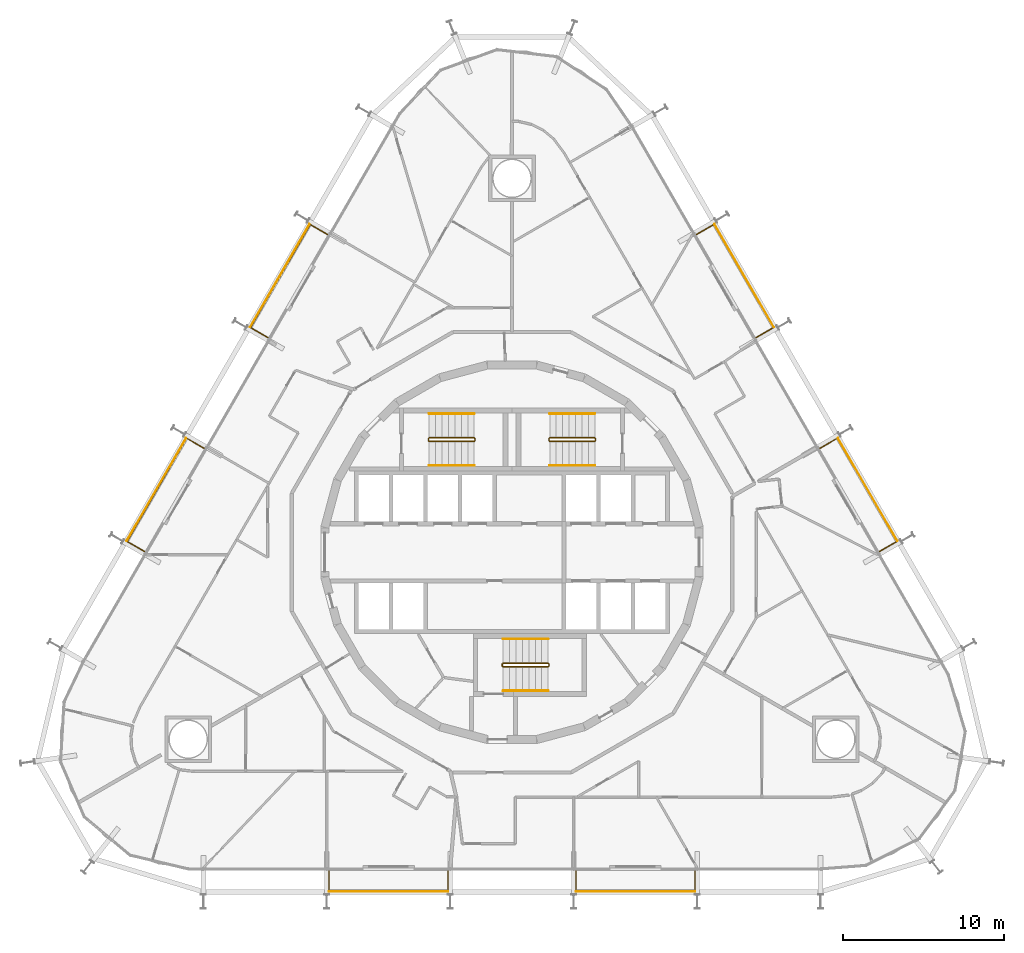
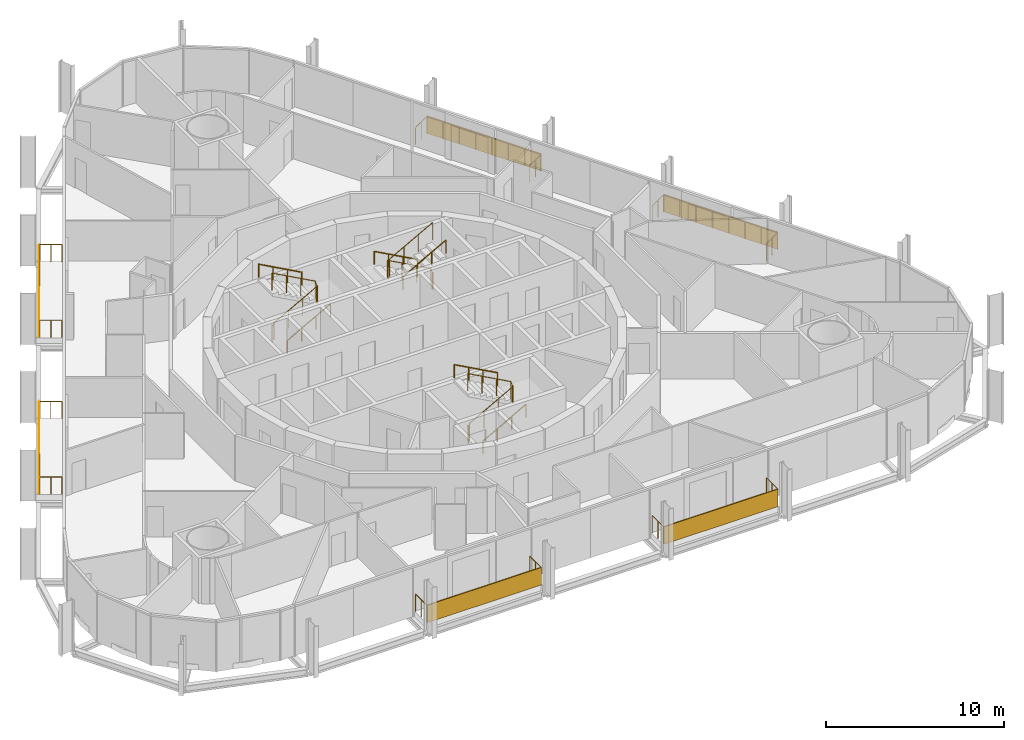
# One storey, part 20 of 20: 15 railings, 6 shading devices.
"""IFC4 building model written with IfcOpenShell, lengths in metres."""

from ifc_helpers import new_model, si_unit, direction, frame, origin, origin_2d, place, context, subcontext, project, spatial, rectangle, circle, extrude, material, layer, layer_set, type_object, element, save


model = new_model("IFC4")

# Units and contexts
model_context = context("Model", 3, precision=1e-05, world=origin(), true_north=direction((0.0, 1.0)))
body_context = subcontext(model_context, "Body", "Model", "MODEL_VIEW")
ifc_project = project(units=[si_unit("LENGTHUNIT", "METRE"), si_unit("AREAUNIT", "SQUARE_METRE"), si_unit("VOLUMEUNIT", "CUBIC_METRE"), si_unit("PLANEANGLEUNIT", "RADIAN"), si_unit("MASSUNIT", "GRAM", prefix="KILO")], contexts=[model_context])

# Site, building, storey
site_placement = place(None, origin())
site = spatial("IfcSite", under=ifc_project, at=site_placement, CompositionType="ELEMENT")
building_placement = place(site_placement, origin())
building = spatial("IfcBuilding", under=site, at=building_placement, Name="Spindle Arch Residences", CompositionType="ELEMENT")
storey_placement = place(building_placement, frame((0.0, 0.0, 59.39990234375)))
storey = spatial("IfcBuildingStorey", under=building, at=storey_placement, Name="L13", CompositionType="ELEMENT", Elevation=59.39990234375)

# Railings
ifc_material_1 = material(Name="Bronze anodised aluminium guard with glass infill", Category="aluminium")
railing_type_1 = type_object("IfcRailingType", Name="Balcony guard 1200", PredefinedType="GUARDRAIL", material=ifc_material_1)
railing_1_placement = place(storey_placement, frame((3.97509765625, -19.81982421875, 0.0)))
element("IfcRailing", 1, at=railing_1_placement, inside=storey, type_object=railing_type_1, Name="Guard L13 bay 1", PredefinedType="GUARDRAIL", context=body_context, shape_type="SweptSolid", body=[
    extrude(circle(Radius=0.02392578125, at=origin_2d()), frame((0.0, 0.0, 1.17578125), z_axis=(0.0, -1.0, 0.0), x_axis=(1.0, 0.0, 0.0)), (0.0, 0.0, 1.0), 1.25),
    extrude(circle(Radius=0.02392578125, at=origin_2d()), frame((0.0, -1.25, 1.17578125), z_axis=(1.0, 0.0, 0.0), x_axis=(0.0, 1.0, 0.0)), (0.0, 0.0, 1.0), 7.409912109375),
    extrude(circle(Radius=0.02392578125, at=origin_2d()), frame((7.409912109375, -1.25, 1.17578125), z_axis=(0.0, 1.0, 0.0), x_axis=(-1.0, 0.0, 0.0)), (0.0, 0.0, 1.0), 1.25),
    extrude(circle(Radius=0.02099609375, at=origin_2d()), origin(), (0.0, 0.0, 1.0), 1.15185546875),
    extrude(circle(Radius=0.02099609375, at=origin_2d()), frame((0.0, -0.625, 0.0)), (0.0, 0.0, 1.0), 1.15185546875),
    extrude(circle(Radius=0.02099609375, at=origin_2d()), frame((0.0, -1.25, 0.0)), (0.0, 0.0, 1.0), 1.15185546875),
    extrude(circle(Radius=0.02099609375, at=origin_2d()), frame((1.05859375, -1.25, 0.0)), (0.0, 0.0, 1.0), 1.15185546875),
    extrude(circle(Radius=0.02099609375, at=origin_2d()), frame((2.1171875, -1.25, 0.0)), (0.0, 0.0, 1.0), 1.15185546875),
    extrude(circle(Radius=0.02099609375, at=origin_2d()), frame((3.17578125, -1.25, 0.0)), (0.0, 0.0, 1.0), 1.15185546875),
    extrude(circle(Radius=0.02099609375, at=origin_2d()), frame((4.234130859375, -1.25, 0.0)), (0.0, 0.0, 1.0), 1.15185546875),
    extrude(circle(Radius=0.02099609375, at=origin_2d()), frame((5.292724609375, -1.25, 0.0)), (0.0, 0.0, 1.0), 1.15185546875),
    extrude(circle(Radius=0.02099609375, at=origin_2d()), frame((6.351318359375, -1.25, 0.0)), (0.0, 0.0, 1.0), 1.15185546875),
    extrude(circle(Radius=0.02099609375, at=origin_2d()), frame((7.409912109375, -1.25, 0.0)), (0.0, 0.0, 1.0), 1.15185546875),
    extrude(circle(Radius=0.02099609375, at=origin_2d()), frame((7.409912109375, -0.625, 0.0)), (0.0, 0.0, 1.0), 1.15185546875),
    extrude(circle(Radius=0.02099609375, at=origin_2d()), frame((7.409912109375, 0.0, 0.0)), (0.0, 0.0, 1.0), 1.15185546875),
])
railing_2_placement = place(storey_placement, frame((22.857177734375, 0.050048828125, 0.0)))
element("IfcRailing", 2, at=railing_2_placement, inside=storey, type_object=railing_type_1, Name="Guard L13 bay 7", PredefinedType="GUARDRAIL", context=body_context, shape_type="SweptSolid", body=[
    extrude(circle(Radius=0.02392578125, at=origin_2d()), frame((0.0, 0.0, 1.17578125), z_axis=(0.866022959057, 0.500004234368, 0.0), x_axis=(-0.500004234368, 0.866022959057, 0.0)), (0.0, 0.0, 1.0), 1.25),
    extrude(circle(Radius=0.02392578125, at=origin_2d()), frame((1.08251953125, 0.625, 1.17578125), z_axis=(-0.499994337101, 0.866028673236, 0.0), x_axis=(-0.866028673236, -0.499994337101, 0.0)), (0.0, 0.0, 1.0), 7.41015625),
    extrude(circle(Radius=0.02392578125, at=origin_2d()), frame((-2.62255859375, 7.04248046875, 1.17578125), z_axis=(-0.866022959057, -0.500004234368, 0.0), x_axis=(0.500004234368, -0.866022959057, 0.0)), (0.0, 0.0, 1.0), 1.25),
    extrude(circle(Radius=0.02099609375, at=origin_2d()), origin(), (0.0, 0.0, 1.0), 1.15185546875),
    extrude(circle(Radius=0.02099609375, at=origin_2d()), frame((0.541259765625, 0.3125, 0.0)), (0.0, 0.0, 1.0), 1.15185546875),
    extrude(circle(Radius=0.02099609375, at=origin_2d()), frame((1.08251953125, 0.625, 0.0)), (0.0, 0.0, 1.0), 1.15185546875),
    extrude(circle(Radius=0.02099609375, at=origin_2d()), frame((0.55322265625, 1.541748046875, 0.0)), (0.0, 0.0, 1.0), 1.15185546875),
    extrude(circle(Radius=0.02099609375, at=origin_2d()), frame((0.02392578125, 2.45849609375, 0.0)), (0.0, 0.0, 1.0), 1.15185546875),
    extrude(circle(Radius=0.02099609375, at=origin_2d()), frame((-0.50537109375, 3.375244140625, 0.0)), (0.0, 0.0, 1.0), 1.15185546875),
    extrude(circle(Radius=0.02099609375, at=origin_2d()), frame((-1.03466796875, 4.292236328125, 0.0)), (0.0, 0.0, 1.0), 1.15185546875),
    extrude(circle(Radius=0.02099609375, at=origin_2d()), frame((-1.56396484375, 5.208984375, 0.0)), (0.0, 0.0, 1.0), 1.15185546875),
    extrude(circle(Radius=0.02099609375, at=origin_2d()), frame((-2.09326171875, 6.125732421875, 0.0)), (0.0, 0.0, 1.0), 1.15185546875),
    extrude(circle(Radius=0.02099609375, at=origin_2d()), frame((-2.62255859375, 7.04248046875, 0.0)), (0.0, 0.0, 1.0), 1.15185546875),
    extrude(circle(Radius=0.02099609375, at=origin_2d()), frame((-3.163818359375, 6.72998046875, 0.0)), (0.0, 0.0, 1.0), 1.15185546875),
    extrude(circle(Radius=0.02099609375, at=origin_2d()), frame((-3.705078125, 6.41748046875, 0.0)), (0.0, 0.0, 1.0), 1.15185546875),
])
railing_3_placement = place(storey_placement, frame((15.177001953125, 13.3525390625, 0.0)))
element("IfcRailing", 3, at=railing_3_placement, inside=storey, type_object=railing_type_1, Name="Guard L13 bay 9", PredefinedType="GUARDRAIL", context=body_context, shape_type="SweptSolid", body=[
    extrude(circle(Radius=0.02392578125, at=origin_2d()), frame((0.0, 0.0, 1.17578125), z_axis=(0.866022959057, 0.500004234368, 0.0), x_axis=(-0.500004234368, 0.866022959057, 0.0)), (0.0, 0.0, 1.0), 1.25),
    extrude(circle(Radius=0.02392578125, at=origin_2d()), frame((1.08251953125, 0.625, 1.17578125), z_axis=(-0.500008603535, 0.866020436474, 0.0), x_axis=(-0.866020436474, -0.500008603535, 0.0)), (0.0, 0.0, 1.0), 7.409912109375),
    extrude(circle(Radius=0.02392578125, at=origin_2d()), frame((-2.62255859375, 7.042236328125, 1.17578125), z_axis=(-0.866022959057, -0.500004234368, 0.0), x_axis=(0.500004234368, -0.866022959057, 0.0)), (0.0, 0.0, 1.0), 1.25),
    extrude(circle(Radius=0.02099609375, at=origin_2d()), origin(), (0.0, 0.0, 1.0), 1.15185546875),
    extrude(circle(Radius=0.02099609375, at=origin_2d()), frame((0.541259765625, 0.3125, 0.0)), (0.0, 0.0, 1.0), 1.15185546875),
    extrude(circle(Radius=0.02099609375, at=origin_2d()), frame((1.08251953125, 0.625, 0.0)), (0.0, 0.0, 1.0), 1.15185546875),
    extrude(circle(Radius=0.02099609375, at=origin_2d()), frame((0.55322265625, 1.541748046875, 0.0)), (0.0, 0.0, 1.0), 1.15185546875),
    extrude(circle(Radius=0.02099609375, at=origin_2d()), frame((0.02392578125, 2.45849609375, 0.0)), (0.0, 0.0, 1.0), 1.15185546875),
    extrude(circle(Radius=0.02099609375, at=origin_2d()), frame((-0.50537109375, 3.375244140625, 0.0)), (0.0, 0.0, 1.0), 1.15185546875),
    extrude(circle(Radius=0.02099609375, at=origin_2d()), frame((-1.03466796875, 4.2919921875, 0.0)), (0.0, 0.0, 1.0), 1.15185546875),
    extrude(circle(Radius=0.02099609375, at=origin_2d()), frame((-1.56396484375, 5.208740234375, 0.0)), (0.0, 0.0, 1.0), 1.15185546875),
    extrude(circle(Radius=0.02099609375, at=origin_2d()), frame((-2.09326171875, 6.12548828125, 0.0)), (0.0, 0.0, 1.0), 1.15185546875),
    extrude(circle(Radius=0.02099609375, at=origin_2d()), frame((-2.62255859375, 7.042236328125, 0.0)), (0.0, 0.0, 1.0), 1.15185546875),
    extrude(circle(Radius=0.02099609375, at=origin_2d()), frame((-3.163818359375, 6.729736328125, 0.0)), (0.0, 0.0, 1.0), 1.15185546875),
    extrude(circle(Radius=0.02099609375, at=origin_2d()), frame((-3.705078125, 6.417236328125, 0.0)), (0.0, 0.0, 1.0), 1.15185546875),
])
railing_4_placement = place(storey_placement, frame((-11.471923828125, 19.769775390625, 0.0)))
element("IfcRailing", 4, at=railing_4_placement, inside=storey, type_object=railing_type_1, Name="Guard L13 bay 15", PredefinedType="GUARDRAIL", context=body_context, shape_type="SweptSolid", body=[
    extrude(circle(Radius=0.02392578125, at=origin_2d()), frame((0.0, 0.0, 1.17578125), z_axis=(-0.866022959057, 0.500004234368, 0.0), x_axis=(-0.500004234368, -0.866022959057, 0.0)), (0.0, 0.0, 1.0), 1.25),
    extrude(circle(Radius=0.02392578125, at=origin_2d()), frame((-1.08251953125, 0.625, 1.17578125), z_axis=(-0.500008603535, -0.866020436474, 0.0), x_axis=(0.866020436474, -0.500008603535, 0.0)), (0.0, 0.0, 1.0), 7.409912109375),
    extrude(circle(Radius=0.02392578125, at=origin_2d()), frame((-4.78759765625, -5.792236328125, 1.17578125), z_axis=(0.866022959057, -0.500004234368, 0.0), x_axis=(0.500004234368, 0.866022959057, 0.0)), (0.0, 0.0, 1.0), 1.25),
    extrude(circle(Radius=0.02099609375, at=origin_2d()), origin(), (0.0, 0.0, 1.0), 1.15185546875),
    extrude(circle(Radius=0.02099609375, at=origin_2d()), frame((-0.541259765625, 0.3125, 0.0)), (0.0, 0.0, 1.0), 1.15185546875),
    extrude(circle(Radius=0.02099609375, at=origin_2d()), frame((-1.08251953125, 0.625, 0.0)), (0.0, 0.0, 1.0), 1.15185546875),
    extrude(circle(Radius=0.02099609375, at=origin_2d()), frame((-1.61181640625, -0.291748046875, 0.0)), (0.0, 0.0, 1.0), 1.15185546875),
    extrude(circle(Radius=0.02099609375, at=origin_2d()), frame((-2.14111328125, -1.20849609375, 0.0)), (0.0, 0.0, 1.0), 1.15185546875),
    extrude(circle(Radius=0.02099609375, at=origin_2d()), frame((-2.67041015625, -2.125244140625, 0.0)), (0.0, 0.0, 1.0), 1.15185546875),
    extrude(circle(Radius=0.02099609375, at=origin_2d()), frame((-3.19970703125, -3.0419921875, 0.0)), (0.0, 0.0, 1.0), 1.15185546875),
    extrude(circle(Radius=0.02099609375, at=origin_2d()), frame((-3.72900390625, -3.958740234375, 0.0)), (0.0, 0.0, 1.0), 1.15185546875),
    extrude(circle(Radius=0.02099609375, at=origin_2d()), frame((-4.25830078125, -4.87548828125, 0.0)), (0.0, 0.0, 1.0), 1.15185546875),
    extrude(circle(Radius=0.02099609375, at=origin_2d()), frame((-4.78759765625, -5.792236328125, 0.0)), (0.0, 0.0, 1.0), 1.15185546875),
    extrude(circle(Radius=0.02099609375, at=origin_2d()), frame((-4.246337890625, -6.104736328125, 0.0)), (0.0, 0.0, 1.0), 1.15185546875),
    extrude(circle(Radius=0.02099609375, at=origin_2d()), frame((-3.705078125, -6.417236328125, 0.0)), (0.0, 0.0, 1.0), 1.15185546875),
])
railing_5_placement = place(storey_placement, frame((-19.152099609375, 6.467529296875, 0.0)))
element("IfcRailing", 5, at=railing_5_placement, inside=storey, type_object=railing_type_1, Name="Guard L13 bay 17", PredefinedType="GUARDRAIL", context=body_context, shape_type="SweptSolid", body=[
    extrude(circle(Radius=0.02392578125, at=origin_2d()), frame((0.0, 0.0, 1.17578125), z_axis=(-0.866022959057, 0.500004234368, 0.0), x_axis=(-0.500004234368, -0.866022959057, 0.0)), (0.0, 0.0, 1.0), 1.25),
    extrude(circle(Radius=0.02392578125, at=origin_2d()), frame((-1.08251953125, 0.625, 1.17578125), z_axis=(-0.499994337101, -0.866028673236, 0.0), x_axis=(0.866028673236, -0.499994337101, 0.0)), (0.0, 0.0, 1.0), 7.41015625),
    extrude(circle(Radius=0.02392578125, at=origin_2d()), frame((-4.78759765625, -5.79248046875, 1.17578125), z_axis=(0.866022959057, -0.500004234368, 0.0), x_axis=(0.500004234368, 0.866022959057, 0.0)), (0.0, 0.0, 1.0), 1.25),
    extrude(circle(Radius=0.02099609375, at=origin_2d()), origin(), (0.0, 0.0, 1.0), 1.15185546875),
    extrude(circle(Radius=0.02099609375, at=origin_2d()), frame((-0.541259765625, 0.3125, 0.0)), (0.0, 0.0, 1.0), 1.15185546875),
    extrude(circle(Radius=0.02099609375, at=origin_2d()), frame((-1.08251953125, 0.625, 0.0)), (0.0, 0.0, 1.0), 1.15185546875),
    extrude(circle(Radius=0.02099609375, at=origin_2d()), frame((-1.61181640625, -0.291748046875, 0.0)), (0.0, 0.0, 1.0), 1.15185546875),
    extrude(circle(Radius=0.02099609375, at=origin_2d()), frame((-2.14111328125, -1.20849609375, 0.0)), (0.0, 0.0, 1.0), 1.15185546875),
    extrude(circle(Radius=0.02099609375, at=origin_2d()), frame((-2.67041015625, -2.125244140625, 0.0)), (0.0, 0.0, 1.0), 1.15185546875),
    extrude(circle(Radius=0.02099609375, at=origin_2d()), frame((-3.19970703125, -3.042236328125, 0.0)), (0.0, 0.0, 1.0), 1.15185546875),
    extrude(circle(Radius=0.02099609375, at=origin_2d()), frame((-3.72900390625, -3.958984375, 0.0)), (0.0, 0.0, 1.0), 1.15185546875),
    extrude(circle(Radius=0.02099609375, at=origin_2d()), frame((-4.25830078125, -4.875732421875, 0.0)), (0.0, 0.0, 1.0), 1.15185546875),
    extrude(circle(Radius=0.02099609375, at=origin_2d()), frame((-4.78759765625, -5.79248046875, 0.0)), (0.0, 0.0, 1.0), 1.15185546875),
    extrude(circle(Radius=0.02099609375, at=origin_2d()), frame((-4.246337890625, -6.10498046875, 0.0)), (0.0, 0.0, 1.0), 1.15185546875),
    extrude(circle(Radius=0.02099609375, at=origin_2d()), frame((-3.705078125, -6.41748046875, 0.0)), (0.0, 0.0, 1.0), 1.15185546875),
])
railing_6_placement = place(storey_placement, frame((-11.385009765625, -19.81982421875, 0.0)))
element("IfcRailing", 6, at=railing_6_placement, inside=storey, type_object=railing_type_1, Name="Guard L13 bay 23", PredefinedType="GUARDRAIL", context=body_context, shape_type="SweptSolid", body=[
    extrude(circle(Radius=0.02392578125, at=origin_2d()), frame((0.0, 0.0, 1.17578125), z_axis=(0.0, -1.0, 0.0), x_axis=(1.0, 0.0, 0.0)), (0.0, 0.0, 1.0), 1.25),
    extrude(circle(Radius=0.02392578125, at=origin_2d()), frame((0.0, -1.25, 1.17578125), z_axis=(1.0, 0.0, 0.0), x_axis=(0.0, 1.0, 0.0)), (0.0, 0.0, 1.0), 7.409912109375),
    extrude(circle(Radius=0.02392578125, at=origin_2d()), frame((7.409912109375, -1.25, 1.17578125), z_axis=(0.0, 1.0, 0.0), x_axis=(-1.0, 0.0, 0.0)), (0.0, 0.0, 1.0), 1.25),
    extrude(circle(Radius=0.02099609375, at=origin_2d()), origin(), (0.0, 0.0, 1.0), 1.15185546875),
    extrude(circle(Radius=0.02099609375, at=origin_2d()), frame((0.0, -0.625, 0.0)), (0.0, 0.0, 1.0), 1.15185546875),
    extrude(circle(Radius=0.02099609375, at=origin_2d()), frame((0.0, -1.25, 0.0)), (0.0, 0.0, 1.0), 1.15185546875),
    extrude(circle(Radius=0.02099609375, at=origin_2d()), frame((1.05859375, -1.25, 0.0)), (0.0, 0.0, 1.0), 1.15185546875),
    extrude(circle(Radius=0.02099609375, at=origin_2d()), frame((2.1171875, -1.25, 0.0)), (0.0, 0.0, 1.0), 1.15185546875),
    extrude(circle(Radius=0.02099609375, at=origin_2d()), frame((3.17578125, -1.25, 0.0)), (0.0, 0.0, 1.0), 1.15185546875),
    extrude(circle(Radius=0.02099609375, at=origin_2d()), frame((4.234130859375, -1.25, 0.0)), (0.0, 0.0, 1.0), 1.15185546875),
    extrude(circle(Radius=0.02099609375, at=origin_2d()), frame((5.292724609375, -1.25, 0.0)), (0.0, 0.0, 1.0), 1.15185546875),
    extrude(circle(Radius=0.02099609375, at=origin_2d()), frame((6.351318359375, -1.25, 0.0)), (0.0, 0.0, 1.0), 1.15185546875),
    extrude(circle(Radius=0.02099609375, at=origin_2d()), frame((7.409912109375, -1.25, 0.0)), (0.0, 0.0, 1.0), 1.15185546875),
    extrude(circle(Radius=0.02099609375, at=origin_2d()), frame((7.409912109375, -0.625, 0.0)), (0.0, 0.0, 1.0), 1.15185546875),
    extrude(circle(Radius=0.02099609375, at=origin_2d()), frame((7.409912109375, 0.0, 0.0)), (0.0, 0.0, 1.0), 1.15185546875),
])

# Shading devices
ifc_material_2 = material(Name="Bronze perforated cobogo screen")
ifc_layer = layer(ifc_material_2, 0.0390625)
ifc_layer_set = layer_set([ifc_layer], Name="Cobogo screen 1200")
shading_device_type = type_object("IfcShadingDeviceType", Name="Cobogo screen 1200", PredefinedType="USERDEFINED", material=ifc_layer_set)
for number, where, z_axis, x_axis, name in (
    (7, (7.68017578125, -21.1103515625, 0.0), (0.0, 0.0, 1.0), (1.0, 0.0, 0.0), "Cobogo screen L13 bay 1"),
    (8, (22.1220703125, 3.904052734375, 0.0), (0.0, 0.0, 1.0), (-0.5, 0.866025403784, 0.0), "Cobogo screen L13 bay 7"),
    (9, (14.442138671875, 17.206298828125, 0.0), (0.0, 0.0, 1.0), (-0.5, 0.866025403784, 0.0), "Cobogo screen L13 bay 9"),
    (10, (-14.442138671875, 17.206298828125, 0.0), (0.0, 0.0, 1.0), (-0.5, -0.866025403784, 0.0), "Cobogo screen L13 bay 15"),
    (11, (-22.1220703125, 3.904052734375, 0.0), (0.0, 0.0, 1.0), (-0.5, -0.866025403784, 0.0), "Cobogo screen L13 bay 17"),
    (12, (-7.68017578125, -21.1103515625, 0.0), (0.0, 0.0, 1.0), (1.0, 0.0, 0.0), "Cobogo screen L13 bay 23"),
):
    element("IfcShadingDevice", number, at=place(storey_placement, frame(where, z_axis=z_axis, x_axis=x_axis)), inside=storey, type_object=shading_device_type, Name=name, ObjectType="SCREEN", PredefinedType="USERDEFINED", context=body_context, shape_type="SweptSolid", body=[
        extrude(rectangle(XDim=7.41015625, YDim=0.0390625, at=origin_2d()), origin(), (0.0, 0.0, 1.0), 1.199951171875),
    ])

# Railings
ifc_material_3 = material(Name="Steel, painted", Category="steel")
railing_type_2 = type_object("IfcRailingType", Name="Stair guard 1100", PredefinedType="GUARDRAIL", material=ifc_material_3)
railing_7_placement = place(storey_placement, frame((5.14990234375, 6.89990234375, 3.5)))
element("IfcRailing", 13, at=railing_7_placement, inside=storey, type_object=railing_type_2, Name="L13 ST1 stair guard 1", PredefinedType="GUARDRAIL", context=body_context, shape_type="SweptSolid", body=[
    extrude(circle(Radius=0.02392578125, at=origin_2d()), frame((0.0, 0.0, 1.17578125), z_axis=(-0.877357048833, 0.0, -0.479838106931), x_axis=(0.0, -1.0, 0.0)), (0.0, 0.0, 1.0), 3.191162109375),
    extrude(circle(Radius=0.02392578125, at=origin_2d()), frame((-2.7998046875, 0.0, -0.35546875), z_axis=(-0.217683172539, 0.217683172539, -0.951434744366), x_axis=(-0.707106781187, -0.707106781187, 0.0)), (0.0, 0.0, 1.0), 0.22998046875),
    extrude(circle(Radius=0.02392578125, at=origin_2d()), frame((-2.849853515625, 0.050048828125, -0.57421875), z_axis=(0.0, 1.0, 0.0), x_axis=(-1.0, 0.0, 0.0)), (0.0, 0.0, 1.0), 0.1201171875),
    extrude(circle(Radius=0.02392578125, at=origin_2d()), frame((-2.849853515625, 0.170166015625, -0.57421875), z_axis=(0.707106781187, 0.707106781187, 0.0), x_axis=(-0.707106781187, 0.707106781187, 0.0)), (0.0, 0.0, 1.0), 0.07080078125),
    extrude(circle(Radius=0.02392578125, at=origin_2d()), frame((-2.7998046875, 0.22021484375, -0.57421875), z_axis=(0.877357048833, 0.0, -0.479838106931), x_axis=(0.0, 1.0, 0.0)), (0.0, 0.0, 1.0), 3.191162109375),
    extrude(circle(Radius=0.02392578125, at=origin_2d()), frame((0.0, 0.22021484375, -2.10546875), z_axis=(0.217683172539, -0.217683172539, -0.951434744366), x_axis=(0.707106781187, 0.707106781187, 0.0)), (0.0, 0.0, 1.0), 0.22998046875),
    extrude(circle(Radius=0.02392578125, at=origin_2d()), frame((0.050048828125, 0.170166015625, -2.32421875), z_axis=(0.0, -1.0, 0.0), x_axis=(1.0, 0.0, 0.0)), (0.0, 0.0, 1.0), 0.1201171875),
    extrude(circle(Radius=0.02099609375, at=origin_2d()), origin(), (0.0, 0.0, 1.0), 1.15185546875),
    extrude(circle(Radius=0.02099609375, at=origin_2d()), frame((-0.933349609375, 0.0, -0.510498046875)), (0.0, 0.0, 1.0), 1.15185546875),
    extrude(circle(Radius=0.02099609375, at=origin_2d()), frame((-1.866455078125, 0.0, -1.020751953125)), (0.0, 0.0, 1.0), 1.15185546875),
    extrude(circle(Radius=0.02099609375, at=origin_2d()), frame((-2.7998046875, 0.0, -1.53125)), (0.0, 0.0, 1.0), 1.15185546875),
    extrude(circle(Radius=0.02099609375, at=origin_2d()), frame((-2.849853515625, 0.050048828125, -1.75)), (0.0, 0.0, 1.0), 1.15185546875),
    extrude(circle(Radius=0.02099609375, at=origin_2d()), frame((-2.849853515625, 0.170166015625, -1.75)), (0.0, 0.0, 1.0), 1.15185546875),
    extrude(circle(Radius=0.02099609375, at=origin_2d()), frame((-2.7998046875, 0.22021484375, -1.75)), (0.0, 0.0, 1.0), 1.15185546875),
    extrude(circle(Radius=0.02099609375, at=origin_2d()), frame((-1.866455078125, 0.22021484375, -2.260498046875)), (0.0, 0.0, 1.0), 1.15185546875),
    extrude(circle(Radius=0.02099609375, at=origin_2d()), frame((-0.933349609375, 0.22021484375, -2.770751953125)), (0.0, 0.0, 1.0), 1.15185546875),
    extrude(circle(Radius=0.02099609375, at=origin_2d()), frame((0.0, 0.22021484375, -3.28125)), (0.0, 0.0, 1.0), 1.15185546875),
    extrude(circle(Radius=0.02099609375, at=origin_2d()), frame((0.050048828125, 0.170166015625, -3.5)), (0.0, 0.0, 1.0), 1.15185546875),
    extrude(circle(Radius=0.02099609375, at=origin_2d()), frame((0.050048828125, 0.050048828125, -3.5)), (0.0, 0.0, 1.0), 1.15185546875),
])
railing_8_placement = place(storey_placement, frame((-5.14990234375, 7.1201171875, 3.5)))
element("IfcRailing", 14, at=railing_8_placement, inside=storey, type_object=railing_type_2, Name="L13 ST2 stair guard 1", PredefinedType="GUARDRAIL", context=body_context, shape_type="SweptSolid", body=[
    extrude(circle(Radius=0.02392578125, at=origin_2d()), frame((0.0, 0.0, 1.17578125), z_axis=(0.877357048833, 0.0, -0.479838106931), x_axis=(0.0, 1.0, 0.0)), (0.0, 0.0, 1.0), 3.191162109375),
    extrude(circle(Radius=0.02392578125, at=origin_2d()), frame((2.7998046875, 0.0, -0.35546875), z_axis=(0.217683172539, -0.217683172539, -0.951434744366), x_axis=(0.707106781187, 0.707106781187, 0.0)), (0.0, 0.0, 1.0), 0.22998046875),
    extrude(circle(Radius=0.02392578125, at=origin_2d()), frame((2.849853515625, -0.050048828125, -0.57421875), z_axis=(0.0, -1.0, 0.0), x_axis=(1.0, 0.0, 0.0)), (0.0, 0.0, 1.0), 0.1201171875),
    extrude(circle(Radius=0.02392578125, at=origin_2d()), frame((2.849853515625, -0.170166015625, -0.57421875), z_axis=(-0.707106781187, -0.707106781187, 0.0), x_axis=(0.707106781187, -0.707106781187, 0.0)), (0.0, 0.0, 1.0), 0.07080078125),
    extrude(circle(Radius=0.02392578125, at=origin_2d()), frame((2.7998046875, -0.22021484375, -0.57421875), z_axis=(-0.877357048833, 0.0, -0.479838106931), x_axis=(0.0, -1.0, 0.0)), (0.0, 0.0, 1.0), 3.191162109375),
    extrude(circle(Radius=0.02392578125, at=origin_2d()), frame((0.0, -0.22021484375, -2.10546875), z_axis=(-0.217683172539, 0.217683172539, -0.951434744366), x_axis=(-0.707106781187, -0.707106781187, 0.0)), (0.0, 0.0, 1.0), 0.22998046875),
    extrude(circle(Radius=0.02392578125, at=origin_2d()), frame((-0.050048828125, -0.170166015625, -2.32421875), z_axis=(0.0, 1.0, 0.0), x_axis=(-1.0, 0.0, 0.0)), (0.0, 0.0, 1.0), 0.1201171875),
    extrude(circle(Radius=0.02099609375, at=origin_2d()), origin(), (0.0, 0.0, 1.0), 1.15185546875),
    extrude(circle(Radius=0.02099609375, at=origin_2d()), frame((0.933349609375, 0.0, -0.510498046875)), (0.0, 0.0, 1.0), 1.15185546875),
    extrude(circle(Radius=0.02099609375, at=origin_2d()), frame((1.866455078125, 0.0, -1.020751953125)), (0.0, 0.0, 1.0), 1.15185546875),
    extrude(circle(Radius=0.02099609375, at=origin_2d()), frame((2.7998046875, 0.0, -1.53125)), (0.0, 0.0, 1.0), 1.15185546875),
    extrude(circle(Radius=0.02099609375, at=origin_2d()), frame((2.849853515625, -0.050048828125, -1.75)), (0.0, 0.0, 1.0), 1.15185546875),
    extrude(circle(Radius=0.02099609375, at=origin_2d()), frame((2.849853515625, -0.170166015625, -1.75)), (0.0, 0.0, 1.0), 1.15185546875),
    extrude(circle(Radius=0.02099609375, at=origin_2d()), frame((2.7998046875, -0.22021484375, -1.75)), (0.0, 0.0, 1.0), 1.15185546875),
    extrude(circle(Radius=0.02099609375, at=origin_2d()), frame((1.866455078125, -0.22021484375, -2.260498046875)), (0.0, 0.0, 1.0), 1.15185546875),
    extrude(circle(Radius=0.02099609375, at=origin_2d()), frame((0.933349609375, -0.22021484375, -2.770751953125)), (0.0, 0.0, 1.0), 1.15185546875),
    extrude(circle(Radius=0.02099609375, at=origin_2d()), frame((0.0, -0.22021484375, -3.28125)), (0.0, 0.0, 1.0), 1.15185546875),
    extrude(circle(Radius=0.02099609375, at=origin_2d()), frame((-0.050048828125, -0.170166015625, -3.5)), (0.0, 0.0, 1.0), 1.15185546875),
    extrude(circle(Radius=0.02099609375, at=origin_2d()), frame((-0.050048828125, -0.050048828125, -3.5)), (0.0, 0.0, 1.0), 1.15185546875),
])
railing_9_placement = place(storey_placement, frame((-0.550048828125, -6.89990234375, 3.5)))
element("IfcRailing", 15, at=railing_9_placement, inside=storey, type_object=railing_type_2, Name="L13 ST3 stair guard 1", PredefinedType="GUARDRAIL", context=body_context, shape_type="SweptSolid", body=[
    extrude(circle(Radius=0.02392578125, at=origin_2d()), frame((0.0, 0.0, 1.17578125), z_axis=(0.877374661878, 0.0, -0.479805901063), x_axis=(0.0, 1.0, 0.0)), (0.0, 0.0, 1.0), 3.19140625),
    extrude(circle(Radius=0.02392578125, at=origin_2d()), frame((2.800048828125, 0.0, -0.35546875), z_axis=(0.217683172539, -0.217683172539, -0.951434744366), x_axis=(0.707106781187, 0.707106781187, 0.0)), (0.0, 0.0, 1.0), 0.22998046875),
    extrude(circle(Radius=0.02392578125, at=origin_2d()), frame((2.85009765625, -0.050048828125, -0.57421875), z_axis=(0.0, -1.0, 0.0), x_axis=(1.0, 0.0, 0.0)), (0.0, 0.0, 1.0), 0.1201171875),
    extrude(circle(Radius=0.02392578125, at=origin_2d()), frame((2.85009765625, -0.170166015625, -0.57421875), z_axis=(-0.707106781187, -0.707106781187, 0.0), x_axis=(0.707106781187, -0.707106781187, 0.0)), (0.0, 0.0, 1.0), 0.07080078125),
    extrude(circle(Radius=0.02392578125, at=origin_2d()), frame((2.800048828125, -0.22021484375, -0.57421875), z_axis=(-0.877374661878, 0.0, -0.479805901063), x_axis=(0.0, -1.0, 0.0)), (0.0, 0.0, 1.0), 3.19140625),
    extrude(circle(Radius=0.02392578125, at=origin_2d()), frame((0.0, -0.22021484375, -2.10546875), z_axis=(-0.217683172539, 0.217683172539, -0.951434744366), x_axis=(-0.707106781187, -0.707106781187, 0.0)), (0.0, 0.0, 1.0), 0.22998046875),
    extrude(circle(Radius=0.02392578125, at=origin_2d()), frame((-0.050048828125, -0.170166015625, -2.32421875), z_axis=(0.0, 1.0, 0.0), x_axis=(-1.0, 0.0, 0.0)), (0.0, 0.0, 1.0), 0.1201171875),
    extrude(circle(Radius=0.02099609375, at=origin_2d()), origin(), (0.0, 0.0, 1.0), 1.15185546875),
    extrude(circle(Radius=0.02099609375, at=origin_2d()), frame((0.933349609375, 0.0, -0.510498046875)), (0.0, 0.0, 1.0), 1.15185546875),
    extrude(circle(Radius=0.02099609375, at=origin_2d()), frame((1.86669921875, 0.0, -1.020751953125)), (0.0, 0.0, 1.0), 1.15185546875),
    extrude(circle(Radius=0.02099609375, at=origin_2d()), frame((2.800048828125, 0.0, -1.53125)), (0.0, 0.0, 1.0), 1.15185546875),
    extrude(circle(Radius=0.02099609375, at=origin_2d()), frame((2.85009765625, -0.050048828125, -1.75)), (0.0, 0.0, 1.0), 1.15185546875),
    extrude(circle(Radius=0.02099609375, at=origin_2d()), frame((2.85009765625, -0.170166015625, -1.75)), (0.0, 0.0, 1.0), 1.15185546875),
    extrude(circle(Radius=0.02099609375, at=origin_2d()), frame((2.800048828125, -0.22021484375, -1.75)), (0.0, 0.0, 1.0), 1.15185546875),
    extrude(circle(Radius=0.02099609375, at=origin_2d()), frame((1.86669921875, -0.22021484375, -2.260498046875)), (0.0, 0.0, 1.0), 1.15185546875),
    extrude(circle(Radius=0.02099609375, at=origin_2d()), frame((0.933349609375, -0.22021484375, -2.770751953125)), (0.0, 0.0, 1.0), 1.15185546875),
    extrude(circle(Radius=0.02099609375, at=origin_2d()), frame((0.0, -0.22021484375, -3.28125)), (0.0, 0.0, 1.0), 1.15185546875),
    extrude(circle(Radius=0.02099609375, at=origin_2d()), frame((-0.050048828125, -0.170166015625, -3.5)), (0.0, 0.0, 1.0), 1.15185546875),
    extrude(circle(Radius=0.02099609375, at=origin_2d()), frame((-0.050048828125, -0.050048828125, -3.5)), (0.0, 0.0, 1.0), 1.15185546875),
])
ifc_material_4 = material(Name="Steel, painted", Category="steel")
railing_type_3 = type_object("IfcRailingType", Name="Stair handrail 900", PredefinedType="HANDRAIL", material=ifc_material_4)
railing_10_placement = place(storey_placement, frame((5.14990234375, 8.6201171875, 0.21875)))
element("IfcRailing", 16, at=railing_10_placement, inside=storey, type_object=railing_type_3, Name="L13 ST1 stair handrail 1", PredefinedType="HANDRAIL", context=body_context, shape_type="SweptSolid", body=[
    extrude(circle(Radius=0.02392578125, at=origin_2d()), frame((0.0, 0.0, 0.8759765625), z_axis=(-0.877357048833, 0.0, 0.479838106931), x_axis=(0.0, -1.0, 0.0)), (0.0, 0.0, 1.0), 3.191162109375),
    extrude(circle(Radius=0.02099609375, at=origin_2d()), origin(), (0.0, 0.0, 1.0), 0.851806640625),
    extrude(circle(Radius=0.02099609375, at=origin_2d()), frame((-0.933349609375, 0.0, 0.510498046875)), (0.0, 0.0, 1.0), 0.851806640625),
    extrude(circle(Radius=0.02099609375, at=origin_2d()), frame((-1.866455078125, 0.0, 1.020751953125)), (0.0, 0.0, 1.0), 0.851806640625),
    extrude(circle(Radius=0.02099609375, at=origin_2d()), frame((-2.7998046875, 0.0, 1.53125)), (0.0, 0.0, 1.0), 0.851806640625),
])
for number, where, name in (
    (17, (2.35009765625, 5.39990234375, 1.96875), "L13 ST1 stair handrail 2"),
    (18, (-5.14990234375, 5.39990234375, 0.21875), "L13 ST2 stair handrail 1"),
):
    element("IfcRailing", number, at=place(storey_placement, frame(where)), inside=storey, type_object=railing_type_3, Name=name, PredefinedType="HANDRAIL", context=body_context, shape_type="SweptSolid", body=[
        extrude(circle(Radius=0.02392578125, at=origin_2d()), frame((0.0, 0.0, 0.8759765625), z_axis=(0.877357048833, 0.0, 0.479838106931), x_axis=(0.0, 1.0, 0.0)), (0.0, 0.0, 1.0), 3.191162109375),
        extrude(circle(Radius=0.02099609375, at=origin_2d()), origin(), (0.0, 0.0, 1.0), 0.851806640625),
        extrude(circle(Radius=0.02099609375, at=origin_2d()), frame((0.933349609375, 0.0, 0.510498046875)), (0.0, 0.0, 1.0), 0.851806640625),
        extrude(circle(Radius=0.02099609375, at=origin_2d()), frame((1.866455078125, 0.0, 1.020751953125)), (0.0, 0.0, 1.0), 0.851806640625),
        extrude(circle(Radius=0.02099609375, at=origin_2d()), frame((2.7998046875, 0.0, 1.53125)), (0.0, 0.0, 1.0), 0.851806640625),
    ])
railing_11_placement = place(storey_placement, frame((-2.35009765625, 8.6201171875, 1.96875)))
element("IfcRailing", 19, at=railing_11_placement, inside=storey, type_object=railing_type_3, Name="L13 ST2 stair handrail 2", PredefinedType="HANDRAIL", context=body_context, shape_type="SweptSolid", body=[
    extrude(circle(Radius=0.02392578125, at=origin_2d()), frame((0.0, 0.0, 0.8759765625), z_axis=(-0.877357048833, 0.0, 0.479838106931), x_axis=(0.0, -1.0, 0.0)), (0.0, 0.0, 1.0), 3.191162109375),
    extrude(circle(Radius=0.02099609375, at=origin_2d()), origin(), (0.0, 0.0, 1.0), 0.851806640625),
    extrude(circle(Radius=0.02099609375, at=origin_2d()), frame((-0.933349609375, 0.0, 0.510498046875)), (0.0, 0.0, 1.0), 0.851806640625),
    extrude(circle(Radius=0.02099609375, at=origin_2d()), frame((-1.866455078125, 0.0, 1.020751953125)), (0.0, 0.0, 1.0), 0.851806640625),
    extrude(circle(Radius=0.02099609375, at=origin_2d()), frame((-2.7998046875, 0.0, 1.53125)), (0.0, 0.0, 1.0), 0.851806640625),
])
railing_12_placement = place(storey_placement, frame((-0.550048828125, -8.6201171875, 0.21875)))
element("IfcRailing", 20, at=railing_12_placement, inside=storey, type_object=railing_type_3, Name="L13 ST3 stair handrail 1", PredefinedType="HANDRAIL", context=body_context, shape_type="SweptSolid", body=[
    extrude(circle(Radius=0.02392578125, at=origin_2d()), frame((0.0, 0.0, 0.8759765625), z_axis=(0.877374661878, 0.0, 0.479805901063), x_axis=(0.0, 1.0, 0.0)), (0.0, 0.0, 1.0), 3.19140625),
    extrude(circle(Radius=0.02099609375, at=origin_2d()), origin(), (0.0, 0.0, 1.0), 0.851806640625),
    extrude(circle(Radius=0.02099609375, at=origin_2d()), frame((0.933349609375, 0.0, 0.510498046875)), (0.0, 0.0, 1.0), 0.851806640625),
    extrude(circle(Radius=0.02099609375, at=origin_2d()), frame((1.86669921875, 0.0, 1.020751953125)), (0.0, 0.0, 1.0), 0.851806640625),
    extrude(circle(Radius=0.02099609375, at=origin_2d()), frame((2.800048828125, 0.0, 1.53125)), (0.0, 0.0, 1.0), 0.851806640625),
])
railing_13_placement = place(storey_placement, frame((2.25, -5.39990234375, 1.96875)))
element("IfcRailing", 21, at=railing_13_placement, inside=storey, type_object=railing_type_3, Name="L13 ST3 stair handrail 2", PredefinedType="HANDRAIL", context=body_context, shape_type="SweptSolid", body=[
    extrude(circle(Radius=0.02392578125, at=origin_2d()), frame((0.0, 0.0, 0.8759765625), z_axis=(-0.877374661878, 0.0, 0.479805901063), x_axis=(0.0, -1.0, 0.0)), (0.0, 0.0, 1.0), 3.19140625),
    extrude(circle(Radius=0.02099609375, at=origin_2d()), origin(), (0.0, 0.0, 1.0), 0.851806640625),
    extrude(circle(Radius=0.02099609375, at=origin_2d()), frame((-0.933349609375, 0.0, 0.510498046875)), (0.0, 0.0, 1.0), 0.851806640625),
    extrude(circle(Radius=0.02099609375, at=origin_2d()), frame((-1.86669921875, 0.0, 1.020751953125)), (0.0, 0.0, 1.0), 0.851806640625),
    extrude(circle(Radius=0.02099609375, at=origin_2d()), frame((-2.800048828125, 0.0, 1.53125)), (0.0, 0.0, 1.0), 0.851806640625),
])

save(model, "model.ifc")
